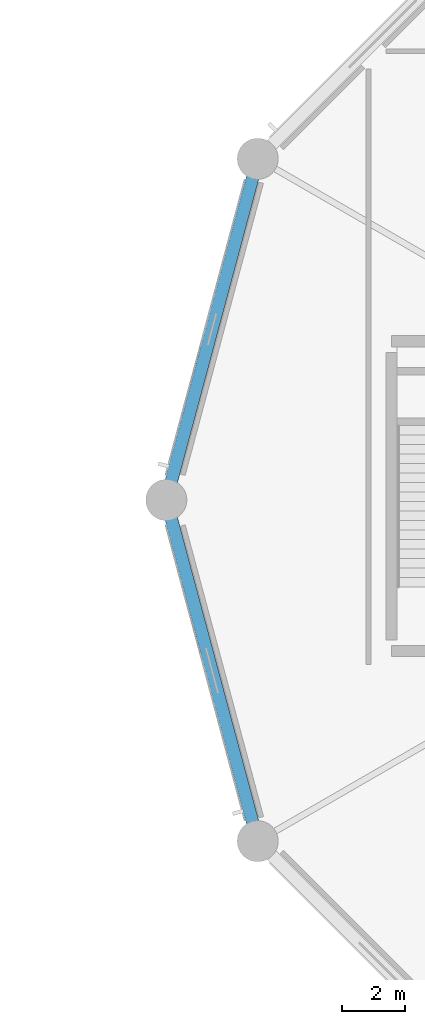
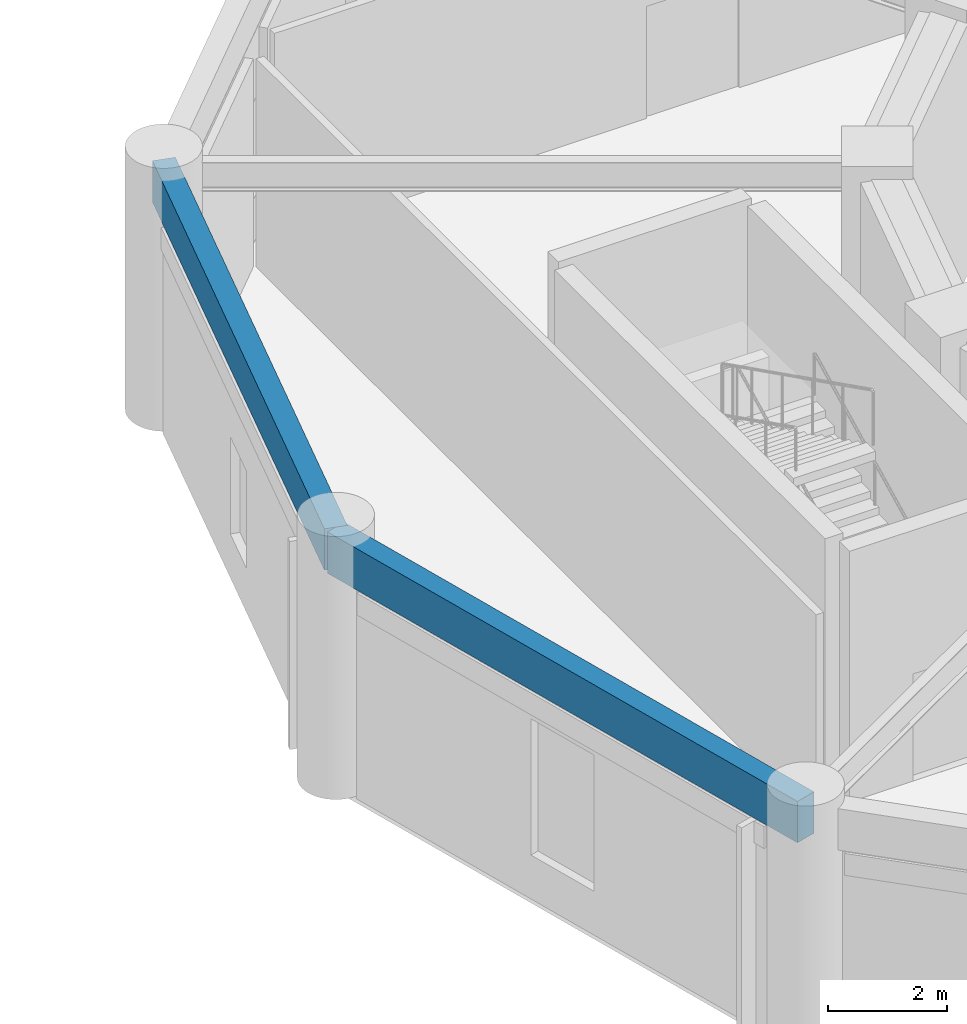
# One storey, part 27 of 166: 2 beams.
"""IFC4 building model written with IfcOpenShell, lengths in metres."""

from ifc_helpers import new_model, si_unit, direction, frame, origin, origin_2d, place, context, subcontext, project, spatial, rectangle, extrude, material, material_profile, profile_set, type_object, element, save


model = new_model("IFC4")

# Units and contexts
model_context = context("Model", 3, precision=1e-05, world=origin(), true_north=direction((0.0, 1.0)))
body_context = subcontext(model_context, "Body", "Model", "MODEL_VIEW")
ifc_project = project(units=[si_unit("LENGTHUNIT", "METRE"), si_unit("AREAUNIT", "SQUARE_METRE"), si_unit("VOLUMEUNIT", "CUBIC_METRE"), si_unit("PLANEANGLEUNIT", "RADIAN"), si_unit("MASSUNIT", "GRAM", prefix="KILO")], contexts=[model_context])

# Site, building, storey
site_placement = place(None, origin())
site = spatial("IfcSite", under=ifc_project, at=site_placement, CompositionType="ELEMENT")
building_placement = place(site_placement, origin())
building = spatial("IfcBuilding", under=site, at=building_placement, Name="Haizhuo Lancet Aquarium", CompositionType="ELEMENT")
storey_placement = place(building_placement, frame((0.0, 0.0, 5.39990234375)))
storey = spatial("IfcBuildingStorey", under=building, at=storey_placement, Name="L01", CompositionType="ELEMENT", Elevation=5.39990234375)

# Beams
ifc_material = material(Name="Concrete C40/50", Category="concrete")
ifc_material_profile = material_profile(ifc_material, rectangle(XDim=0.39990234375, YDim=0.85009765625, at=origin_2d()), Name="RC-SP 400x850")
ifc_profile_set = profile_set([ifc_material_profile], Name="Concrete C40/50")
beam_type = type_object("IfcBeamType", Name="SPN-RC-400x850", PredefinedType="SPANDREL", material=ifc_profile_set)
for number, where, z_axis, x_axis, name in (
    (1, (-18.7060546875, 10.800048828125, 4.715087890625), (-0.258833949056, -0.965921832664, 0.0), (0.965921832664, -0.258833949056, 0.0), "L01 drum perimeter spandrel 6"),
    (2, (-21.60009765625, 0.0, 4.715087890625), (0.258833949056, -0.965921832664, 0.0), (0.965921832664, 0.258833949056, 0.0), "L01 drum perimeter spandrel 7"),
):
    element("IfcBeam", number, at=place(storey_placement, frame(where, z_axis=z_axis, x_axis=x_axis)), inside=storey, type_object=beam_type, Name=name, PredefinedType="SPANDREL", context=body_context, shape_type="SweptSolid", body=[
        extrude(rectangle(XDim=0.39990234375, YDim=0.85009765625, at=origin_2d()), origin(), (0.0, 0.0, 1.0), 11.18115234375),
    ])

save(model, "model.ifc")
